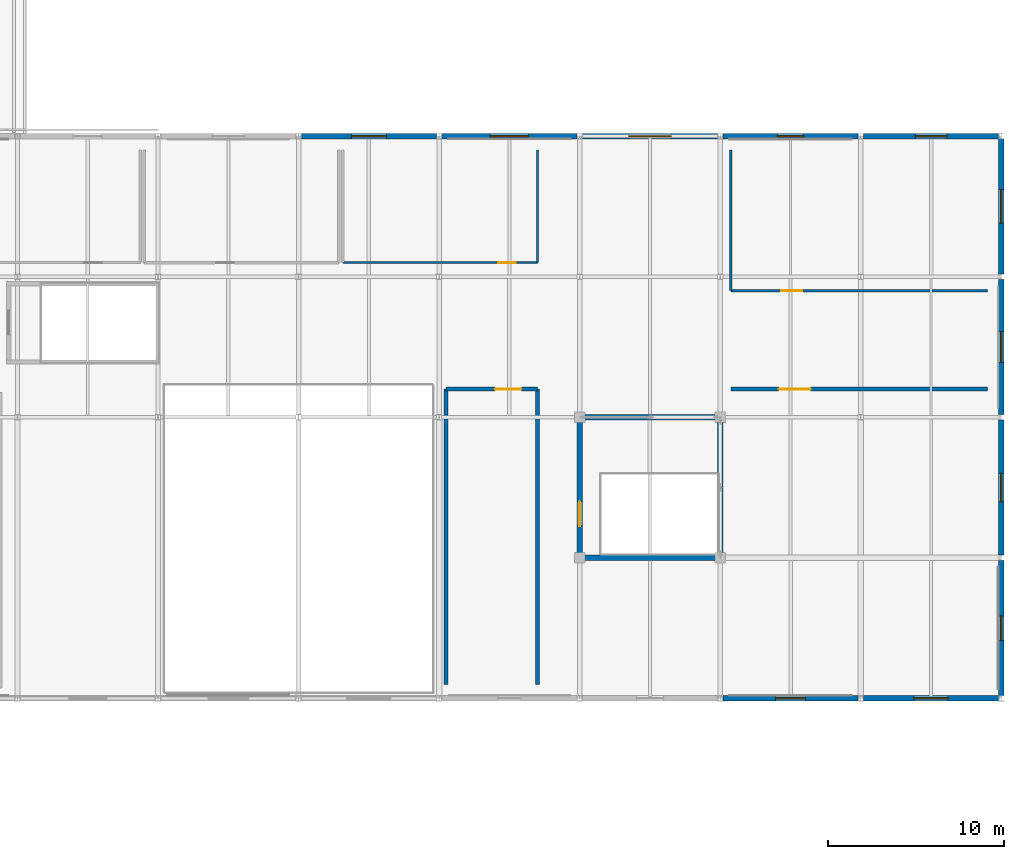
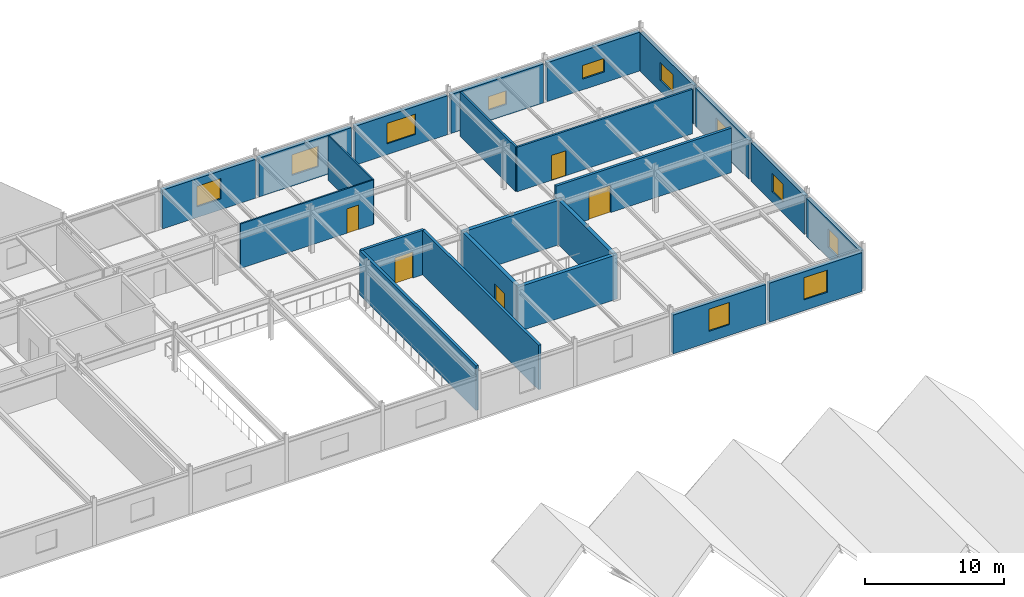
# One storey, part 82 of 88: 23 walls, 11 windows, 5 doors, 16 openings.
"""IFC4 building model written with IfcOpenShell, lengths in metres."""

from ifc_helpers import new_model, si_unit, direction, frame, frame_2d, origin, place, context, subcontext, project, spatial, rectangle, extrude, material, layer, layer_set, type_object, element, fill, save


model = new_model("IFC4")

# Units and contexts
model_context = context("Model", 3, precision=1e-05, world=origin(), true_north=direction((0.0, 1.0)))
body_context = subcontext(model_context, "Body", "Model", "MODEL_VIEW")
ifc_project = project(units=[si_unit("LENGTHUNIT", "METRE"), si_unit("AREAUNIT", "SQUARE_METRE"), si_unit("VOLUMEUNIT", "CUBIC_METRE"), si_unit("PLANEANGLEUNIT", "RADIAN"), si_unit("MASSUNIT", "GRAM", prefix="KILO")], contexts=[model_context])

# Site, building, storey
site_placement = place(None, origin())
site = spatial("IfcSite", under=ifc_project, at=site_placement, CompositionType="ELEMENT")
building_placement = place(site_placement, origin())
building = spatial("IfcBuilding", under=site, at=building_placement, Name="Zhaolan Boulevard Law Courts", CompositionType="ELEMENT")
storey_placement = place(building_placement, frame((0.0, 0.0, 16.199951171875)))
storey = spatial("IfcBuildingStorey", under=building, at=storey_placement, Name="L03", CompositionType="ELEMENT", Elevation=16.199951171875)

# Walls
ifc_material_1 = material(Name="Concrete C50", Category="concrete")
ifc_layer_1 = layer(ifc_material_1, 0.300048828125)
ifc_layer_set_1 = layer_set([ifc_layer_1])
wall_type_1 = type_object("IfcWallType", Name="CORE SHEAR WALL 300", PredefinedType="SHEAR", material=ifc_layer_set_1)
for number, where, z_axis, x_axis, name in (
    (1, (139.85009765625, 70.0, 0.0), (0.0, 0.0, 1.0), (1.0, 0.0, 0.0), "Core Shear Wall CW-T2-L03S"),
    (2, (148.14990234375, 78.0, 0.0), (0.0, 0.0, 1.0), (-1.0, 0.0, 0.0), "Core Shear Wall CW-T2-L03N"),
):
    element("IfcWall", number, at=place(storey_placement, frame(where, z_axis=z_axis, x_axis=x_axis)), inside=storey, type_object=wall_type_1, Name=name, PredefinedType="SHEAR", context=body_context, shape_type="SweptSolid", body=[
        extrude(rectangle(XDim=8.2998046875, YDim=0.300048828125, at=frame_2d((4.14990234375, 0.0))), origin(), (0.0, 0.0, 1.0), 3.920166015625),
    ])

# Wall, opening, door
wall_1_placement = place(storey_placement, frame((140.0, 70.14990234375, 0.0), z_axis=(0.0, 0.0, 1.0), x_axis=(0.0, 1.0, 0.0)))
wall_1 = element("IfcWall", 3, at=wall_1_placement, inside=storey, type_object=wall_type_1, Name="Core Shear Wall CW-T2-L03W", PredefinedType="SHEAR", context=body_context, shape_type="SweptSolid", body=[
    extrude(rectangle(XDim=7.7001953125, YDim=0.300048828125, at=frame_2d((3.85009765625, 0.0))), origin(), (0.0, 0.0, 1.0), 3.920166015625),
])
opening_1_placement = place(wall_1_placement, frame((1.64990234375, 0.0, 0.0)))
opening_1 = element("IfcOpeningElement", 4, at=opening_1_placement, cuts=wall_1, Name="Opening SD-L03-37", PredefinedType="OPENING", context=body_context, shape_type="SweptSolid", body=[
    extrude(rectangle(XDim=1.39990234375, YDim=2.199951171875, at=frame_2d((0.699951171875, 1.10009765625))), frame((0.0, 0.159912109375, 0.0), z_axis=(0.0, -1.0, 0.0), x_axis=(1.0, 0.0, 0.0)), (0.0, 0.0, 1.0), 0.320068359375),
])
ifc_material_2 = material(Name="Fire-rated steel acoustic door", Category="steel")
door_type_1 = type_object("IfcDoorType", Name="STAIR FIRE 1400X2200 L", OperationType="SINGLE_SWING_LEFT", PredefinedType="DOOR", material=ifc_material_2)
door_1_placement = place(opening_1_placement, origin())
door_1 = element("IfcDoor", 5, at=door_1_placement, inside=storey, type_object=door_type_1, Name="Smoke-Proof Stairwell Fire Door SD-L03-37", OperationType="SINGLE_SWING_LEFT", OverallHeight=2.199951171875, OverallWidth=1.39990234375, PredefinedType="DOOR", context=body_context, shape_type="SweptSolid", body=[
    extrude(rectangle(XDim=1.39990234375, YDim=2.199951171875, at=frame_2d((0.699951171875, 1.10009765625))), frame((0.0, 0.02490234375, 0.0), z_axis=(0.0, -1.0, 0.0), x_axis=(1.0, 0.0, 0.0)), (0.0, 0.0, 1.0), 0.050048828125),
])
fill(opening_1, door_1)

# Wall
wall_2_placement = place(storey_placement, frame((148.0, 70.14990234375, 0.0), z_axis=(0.0, 0.0, 1.0), x_axis=(0.0, 1.0, 0.0)))
element("IfcWall", 6, at=wall_2_placement, inside=storey, type_object=wall_type_1, Name="Core Shear Wall CW-T2-L03E", PredefinedType="SHEAR", context=body_context, shape_type="SweptSolid", body=[
    extrude(rectangle(XDim=7.7001953125, YDim=0.300048828125, at=frame_2d((3.85009765625, 0.0))), origin(), (0.0, 0.0, 1.0), 3.920166015625),
])

# Wall, opening, window
ifc_material_3 = material(Name="Concrete C40", Category="concrete")
ifc_layer_2 = layer(ifc_material_3, 0.300048828125)
ifc_layer_set_2 = layer_set([ifc_layer_2])
wall_type_2 = type_object("IfcWallType", Name="EXT WALL CONCRETE300", PredefinedType="SOLIDWALL", material=ifc_layer_set_2)
wall_3_placement = place(storey_placement, frame((148.14599609375, 62.0, 0.0), z_axis=(0.0, 0.0, 1.0), x_axis=(1.0, 0.0, 0.0)))
wall_3 = element("IfcWall", 7, at=wall_3_placement, inside=storey, type_object=wall_type_2, Name="Exterior Wall EW-L03-282", PredefinedType="SOLIDWALL", context=body_context, shape_type="SweptSolid", body=[
    extrude(rectangle(XDim=7.7080078125, YDim=0.300048828125, at=frame_2d((3.85400390625, 0.0))), origin(), (0.0, 0.0, 1.0), 3.423095703125),
])
opening_2_placement = place(wall_3_placement, frame((3.00390625, 0.0, 0.949951171875)))
opening_2 = element("IfcOpeningElement", 8, at=opening_2_placement, cuts=wall_3, Name="Opening WIN-L03-139", PredefinedType="OPENING", context=body_context, shape_type="SweptSolid", body=[
    extrude(rectangle(XDim=1.699951171875, YDim=1.949951171875, at=frame_2d((0.85009765625, 0.97509765625))), frame((0.0, 0.159912109375, 0.0), z_axis=(0.0, -1.0, 0.0), x_axis=(1.0, 0.0, 0.0)), (0.0, 0.0, 1.0), 0.320068359375),
])
ifc_material_4 = material(Name="Thermally broken aluminium and low-E glazing", Category="aluminium")
window_type_1 = type_object("IfcWindowType", Name="WINDOW 1700X1950", PartitioningType="SINGLE_PANEL", PredefinedType="WINDOW", material=ifc_material_4)
window_1_placement = place(opening_2_placement, origin())
window_1 = element("IfcWindow", 9, at=window_1_placement, inside=storey, type_object=window_type_1, Name="Exterior Window WIN-L03-139", OverallHeight=1.949951171875, OverallWidth=1.699951171875, PartitioningType="SINGLE_PANEL", PredefinedType="WINDOW", context=body_context, shape_type="SweptSolid", body=[
    extrude(rectangle(XDim=1.699951171875, YDim=1.949951171875, at=frame_2d((0.85009765625, 0.97509765625))), frame((0.0, 0.030029296875, 0.0), z_axis=(0.0, -1.0, 0.0), x_axis=(1.0, 0.0, 0.0)), (0.0, 0.0, 1.0), 0.06005859375),
])
fill(opening_2, window_1)

wall_4_placement = place(storey_placement, frame((156.14599609375, 62.0, 0.0), z_axis=(0.0, 0.0, 1.0), x_axis=(1.0, 0.0, 0.0)))
wall_4 = element("IfcWall", 10, at=wall_4_placement, inside=storey, type_object=wall_type_2, Name="Exterior Wall EW-L03-283", PredefinedType="SOLIDWALL", context=body_context, shape_type="SweptSolid", body=[
    extrude(rectangle(XDim=7.7080078125, YDim=0.300048828125, at=frame_2d((3.85400390625, 0.0))), origin(), (0.0, 0.0, 1.0), 3.423095703125),
])
opening_3_placement = place(wall_4_placement, frame((2.87890625, 0.0, 0.949951171875)))
opening_3 = element("IfcOpeningElement", 11, at=opening_3_placement, cuts=wall_4, Name="Opening WIN-L03-140", PredefinedType="OPENING", context=body_context, shape_type="SweptSolid", body=[
    extrude(rectangle(XDim=1.949951171875, YDim=1.949951171875, at=frame_2d((0.97509765625, 0.97509765625))), frame((0.0, 0.159912109375, 0.0), z_axis=(0.0, -1.0, 0.0), x_axis=(1.0, 0.0, 0.0)), (0.0, 0.0, 1.0), 0.320068359375),
])
ifc_material_5 = material(Name="Thermally broken aluminium and low-E glazing", Category="aluminium")
window_type_2 = type_object("IfcWindowType", Name="WINDOW 1950X1950", PartitioningType="DOUBLE_PANEL_VERTICAL", PredefinedType="WINDOW", material=ifc_material_5)
window_2_placement = place(opening_3_placement, origin())
window_2 = element("IfcWindow", 12, at=window_2_placement, inside=storey, type_object=window_type_2, Name="Exterior Window WIN-L03-140", OverallHeight=1.949951171875, OverallWidth=1.949951171875, PartitioningType="SINGLE_PANEL", PredefinedType="WINDOW", context=body_context, shape_type="SweptSolid", body=[
    extrude(rectangle(XDim=1.949951171875, YDim=1.949951171875, at=frame_2d((0.97509765625, 0.97509765625))), frame((0.0, 0.030029296875, 0.0), z_axis=(0.0, -1.0, 0.0), x_axis=(1.0, 0.0, 0.0)), (0.0, 0.0, 1.0), 0.06005859375),
])
fill(opening_3, window_2)

wall_5_placement = place(storey_placement, frame((131.85400390625, 94.0, 0.0), z_axis=(0.0, 0.0, 1.0), x_axis=(-1.0, 0.0, 0.0)))
wall_5 = element("IfcWall", 13, at=wall_5_placement, inside=storey, type_object=wall_type_2, Name="Exterior Wall EW-L03-293", PredefinedType="SOLIDWALL", context=body_context, shape_type="SweptSolid", body=[
    extrude(rectangle(XDim=7.7080078125, YDim=0.300048828125, at=frame_2d((3.85400390625, 0.0))), origin(), (0.0, 0.0, 1.0), 3.423095703125),
])
opening_4_placement = place(wall_5_placement, frame((2.85400390625, 0.0, 0.949951171875)))
opening_4 = element("IfcOpeningElement", 14, at=opening_4_placement, cuts=wall_5, Name="Opening WIN-L03-150", PredefinedType="OPENING", context=body_context, shape_type="SweptSolid", body=[
    extrude(rectangle(XDim=2.0, YDim=1.800048828125, at=frame_2d((1.0, 0.89990234375))), frame((0.0, 0.159912109375, 0.0), z_axis=(0.0, -1.0, 0.0), x_axis=(1.0, 0.0, 0.0)), (0.0, 0.0, 1.0), 0.320068359375),
])
ifc_material_6 = material(Name="Thermally broken aluminium and low-E glazing", Category="aluminium")
window_type_3 = type_object("IfcWindowType", Name="WINDOW 2000X1800", PartitioningType="DOUBLE_PANEL_VERTICAL", PredefinedType="WINDOW", material=ifc_material_6)
window_3_placement = place(opening_4_placement, origin())
window_3 = element("IfcWindow", 15, at=window_3_placement, inside=storey, type_object=window_type_3, Name="Exterior Window WIN-L03-150", OverallHeight=1.800048828125, OverallWidth=2.0, PartitioningType="SINGLE_PANEL", PredefinedType="WINDOW", context=body_context, shape_type="SweptSolid", body=[
    extrude(rectangle(XDim=2.0, YDim=1.800048828125, at=frame_2d((1.0, 0.89990234375))), frame((0.0, 0.030029296875, 0.0), z_axis=(0.0, -1.0, 0.0), x_axis=(1.0, 0.0, 0.0)), (0.0, 0.0, 1.0), 0.06005859375),
])
fill(opening_4, window_3)

wall_6_placement = place(storey_placement, frame((139.85400390625, 94.0, 0.0), z_axis=(0.0, 0.0, 1.0), x_axis=(-1.0, 0.0, 0.0)))
wall_6 = element("IfcWall", 16, at=wall_6_placement, inside=storey, type_object=wall_type_2, Name="Exterior Wall EW-L03-294", PredefinedType="SOLIDWALL", context=body_context, shape_type="SweptSolid", body=[
    extrude(rectangle(XDim=7.7080078125, YDim=0.300048828125, at=frame_2d((3.85400390625, 0.0))), origin(), (0.0, 0.0, 1.0), 3.423095703125),
])
opening_5_placement = place(wall_6_placement, frame((2.75390625, 0.0, 0.949951171875)))
opening_5 = element("IfcOpeningElement", 17, at=opening_5_placement, cuts=wall_6, Name="Opening WIN-L03-151", PredefinedType="OPENING", context=body_context, shape_type="SweptSolid", body=[
    extrude(rectangle(XDim=2.199951171875, YDim=1.800048828125, at=frame_2d((1.10009765625, 0.89990234375))), frame((0.0, 0.159912109375, 0.0), z_axis=(0.0, -1.0, 0.0), x_axis=(1.0, 0.0, 0.0)), (0.0, 0.0, 1.0), 0.320068359375),
])
ifc_material_7 = material(Name="Thermally broken aluminium and low-E glazing", Category="aluminium")
window_type_4 = type_object("IfcWindowType", Name="WINDOW 2200X1800", PartitioningType="DOUBLE_PANEL_VERTICAL", PredefinedType="WINDOW", material=ifc_material_7)
window_4_placement = place(opening_5_placement, origin())
window_4 = element("IfcWindow", 18, at=window_4_placement, inside=storey, type_object=window_type_4, Name="Exterior Window WIN-L03-151", OverallHeight=1.800048828125, OverallWidth=2.199951171875, PartitioningType="SINGLE_PANEL", PredefinedType="WINDOW", context=body_context, shape_type="SweptSolid", body=[
    extrude(rectangle(XDim=2.199951171875, YDim=1.800048828125, at=frame_2d((1.10009765625, 0.89990234375))), frame((0.0, 0.030029296875, 0.0), z_axis=(0.0, -1.0, 0.0), x_axis=(1.0, 0.0, 0.0)), (0.0, 0.0, 1.0), 0.06005859375),
])
fill(opening_5, window_4)

wall_7_placement = place(storey_placement, frame((147.85400390625, 94.0, 0.0), z_axis=(0.0, 0.0, 1.0), x_axis=(-1.0, 0.0, 0.0)))
wall_7 = element("IfcWall", 19, at=wall_7_placement, inside=storey, type_object=wall_type_2, Name="Exterior Wall EW-L03-295", PredefinedType="SOLIDWALL", context=body_context, shape_type="SweptSolid", body=[
    extrude(rectangle(XDim=7.7080078125, YDim=0.300048828125, at=frame_2d((3.85400390625, 0.0))), origin(), (0.0, 0.0, 1.0), 3.423095703125),
])
opening_6_placement = place(wall_7_placement, frame((2.654052734375, 0.0, 0.949951171875)))
opening_6 = element("IfcOpeningElement", 20, at=opening_6_placement, cuts=wall_7, Name="Opening WIN-L03-152", PredefinedType="OPENING", context=body_context, shape_type="SweptSolid", body=[
    extrude(rectangle(XDim=2.39990234375, YDim=1.800048828125, at=frame_2d((1.199951171875, 0.89990234375))), frame((0.0, 0.159912109375, 0.0), z_axis=(0.0, -1.0, 0.0), x_axis=(1.0, 0.0, 0.0)), (0.0, 0.0, 1.0), 0.320068359375),
])
ifc_material_8 = material(Name="Thermally broken aluminium and low-E glazing", Category="aluminium")
window_type_5 = type_object("IfcWindowType", Name="WINDOW 2400X1800", PartitioningType="DOUBLE_PANEL_VERTICAL", PredefinedType="WINDOW", material=ifc_material_8)
window_5_placement = place(opening_6_placement, origin())
window_5 = element("IfcWindow", 21, at=window_5_placement, inside=storey, type_object=window_type_5, Name="Exterior Window WIN-L03-152", OverallHeight=1.800048828125, OverallWidth=2.39990234375, PartitioningType="SINGLE_PANEL", PredefinedType="WINDOW", context=body_context, shape_type="SweptSolid", body=[
    extrude(rectangle(XDim=2.39990234375, YDim=1.800048828125, at=frame_2d((1.199951171875, 0.89990234375))), frame((0.0, 0.030029296875, 0.0), z_axis=(0.0, -1.0, 0.0), x_axis=(1.0, 0.0, 0.0)), (0.0, 0.0, 1.0), 0.06005859375),
])
fill(opening_6, window_5)

wall_8_placement = place(storey_placement, frame((155.85400390625, 94.0, 0.0), z_axis=(0.0, 0.0, 1.0), x_axis=(-1.0, 0.0, 0.0)))
wall_8 = element("IfcWall", 22, at=wall_8_placement, inside=storey, type_object=wall_type_2, Name="Exterior Wall EW-L03-296", PredefinedType="SOLIDWALL", context=body_context, shape_type="SweptSolid", body=[
    extrude(rectangle(XDim=7.7080078125, YDim=0.300048828125, at=frame_2d((3.85400390625, 0.0))), origin(), (0.0, 0.0, 1.0), 3.423095703125),
])
opening_7_placement = place(wall_8_placement, frame((3.10400390625, 0.0, 0.949951171875)))
opening_7 = element("IfcOpeningElement", 23, at=opening_7_placement, cuts=wall_8, Name="Opening WIN-L03-153", PredefinedType="OPENING", context=body_context, shape_type="SweptSolid", body=[
    extrude(rectangle(XDim=1.5, YDim=1.199951171875, at=frame_2d((0.75, 0.60009765625))), frame((0.0, 0.159912109375, 0.0), z_axis=(0.0, -1.0, 0.0), x_axis=(1.0, 0.0, 0.0)), (0.0, 0.0, 1.0), 0.320068359375),
])
ifc_material_9 = material(Name="Thermally broken aluminium and low-E glazing", Category="aluminium")
window_type_6 = type_object("IfcWindowType", Name="WINDOW 1500X1200", PartitioningType="SINGLE_PANEL", PredefinedType="WINDOW", material=ifc_material_9)
window_6_placement = place(opening_7_placement, origin())
window_6 = element("IfcWindow", 24, at=window_6_placement, inside=storey, type_object=window_type_6, Name="Exterior Window WIN-L03-153", OverallHeight=1.199951171875, OverallWidth=1.5, PartitioningType="SINGLE_PANEL", PredefinedType="WINDOW", context=body_context, shape_type="SweptSolid", body=[
    extrude(rectangle(XDim=1.5, YDim=1.199951171875, at=frame_2d((0.75, 0.60009765625))), frame((0.0, 0.030029296875, 0.0), z_axis=(0.0, -1.0, 0.0), x_axis=(1.0, 0.0, 0.0)), (0.0, 0.0, 1.0), 0.06005859375),
])
fill(opening_7, window_6)

wall_9_placement = place(storey_placement, frame((163.85400390625, 94.0, 0.0), z_axis=(0.0, 0.0, 1.0), x_axis=(-1.0, 0.0, 0.0)))
wall_9 = element("IfcWall", 25, at=wall_9_placement, inside=storey, type_object=wall_type_2, Name="Exterior Wall EW-L03-297", PredefinedType="SOLIDWALL", context=body_context, shape_type="SweptSolid", body=[
    extrude(rectangle(XDim=7.7080078125, YDim=0.300048828125, at=frame_2d((3.85400390625, 0.0))), origin(), (0.0, 0.0, 1.0), 3.423095703125),
])
opening_8_placement = place(wall_9_placement, frame((2.9541015625, 0.0, 0.949951171875)))
opening_8 = element("IfcOpeningElement", 26, at=opening_8_placement, cuts=wall_9, Name="Opening WIN-L03-154", PredefinedType="OPENING", context=body_context, shape_type="SweptSolid", body=[
    extrude(rectangle(XDim=1.800048828125, YDim=1.199951171875, at=frame_2d((0.89990234375, 0.60009765625))), frame((0.0, 0.159912109375, 0.0), z_axis=(0.0, -1.0, 0.0), x_axis=(1.0, 0.0, 0.0)), (0.0, 0.0, 1.0), 0.320068359375),
])
ifc_material_10 = material(Name="Thermally broken aluminium and low-E glazing", Category="aluminium")
window_type_7 = type_object("IfcWindowType", Name="WINDOW 1800X1200", PartitioningType="DOUBLE_PANEL_VERTICAL", PredefinedType="WINDOW", material=ifc_material_10)
window_7_placement = place(opening_8_placement, origin())
window_7 = element("IfcWindow", 27, at=window_7_placement, inside=storey, type_object=window_type_7, Name="Exterior Window WIN-L03-154", OverallHeight=1.199951171875, OverallWidth=1.800048828125, PartitioningType="SINGLE_PANEL", PredefinedType="WINDOW", context=body_context, shape_type="SweptSolid", body=[
    extrude(rectangle(XDim=1.800048828125, YDim=1.199951171875, at=frame_2d((0.89990234375, 0.60009765625))), frame((0.0, 0.030029296875, 0.0), z_axis=(0.0, -1.0, 0.0), x_axis=(1.0, 0.0, 0.0)), (0.0, 0.0, 1.0), 0.06005859375),
])
fill(opening_8, window_7)

wall_10_placement = place(storey_placement, frame((164.0, 62.14599609375, 0.0), z_axis=(0.0, 0.0, 1.0), x_axis=(0.0, 1.0, 0.0)))
wall_10 = element("IfcWall", 28, at=wall_10_placement, inside=storey, type_object=wall_type_2, Name="Exterior Wall EW-L03-302", PredefinedType="SOLIDWALL", context=body_context, shape_type="SweptSolid", body=[
    extrude(rectangle(XDim=7.7080078125, YDim=0.300048828125, at=frame_2d((3.85400390625, 0.0))), origin(), (0.0, 0.0, 1.0), 3.383056640625),
])
opening_9_placement = place(wall_10_placement, frame((3.154052734375, 0.0, 0.949951171875)))
opening_9 = element("IfcOpeningElement", 29, at=opening_9_placement, cuts=wall_10, Name="Opening WIN-L03-159", PredefinedType="OPENING", context=body_context, shape_type="SweptSolid", body=[
    extrude(rectangle(XDim=1.39990234375, YDim=1.60009765625, at=frame_2d((0.699951171875, 0.800048828125))), frame((0.0, 0.159912109375, 0.0), z_axis=(0.0, -1.0, 0.0), x_axis=(1.0, 0.0, 0.0)), (0.0, 0.0, 1.0), 0.320068359375),
])
ifc_material_11 = material(Name="Thermally broken aluminium and low-E glazing", Category="aluminium")
window_type_8 = type_object("IfcWindowType", Name="WINDOW 1400X1600", PartitioningType="SINGLE_PANEL", PredefinedType="WINDOW", material=ifc_material_11)
window_8_placement = place(opening_9_placement, origin())
window_8 = element("IfcWindow", 30, at=window_8_placement, inside=storey, type_object=window_type_8, Name="Exterior Window WIN-L03-159", OverallHeight=1.60009765625, OverallWidth=1.39990234375, PartitioningType="SINGLE_PANEL", PredefinedType="WINDOW", context=body_context, shape_type="SweptSolid", body=[
    extrude(rectangle(XDim=1.39990234375, YDim=1.60009765625, at=frame_2d((0.699951171875, 0.800048828125))), frame((0.0, 0.030029296875, 0.0), z_axis=(0.0, -1.0, 0.0), x_axis=(1.0, 0.0, 0.0)), (0.0, 0.0, 1.0), 0.06005859375),
])
fill(opening_9, window_8)

wall_11_placement = place(storey_placement, frame((164.0, 70.14599609375, 0.0), z_axis=(0.0, 0.0, 1.0), x_axis=(0.0, 1.0, 0.0)))
wall_11 = element("IfcWall", 31, at=wall_11_placement, inside=storey, type_object=wall_type_2, Name="Exterior Wall EW-L03-303", PredefinedType="SOLIDWALL", context=body_context, shape_type="SweptSolid", body=[
    extrude(rectangle(XDim=7.7080078125, YDim=0.300048828125, at=frame_2d((3.85400390625, 0.0))), origin(), (0.0, 0.0, 1.0), 3.383056640625),
])
opening_10_placement = place(wall_11_placement, frame((3.053955078125, 0.0, 0.949951171875)))
opening_10 = element("IfcOpeningElement", 32, at=opening_10_placement, cuts=wall_11, Name="Opening WIN-L03-160", PredefinedType="OPENING", context=body_context, shape_type="SweptSolid", body=[
    extrude(rectangle(XDim=1.60009765625, YDim=1.60009765625, at=frame_2d((0.800048828125, 0.800048828125))), frame((0.0, 0.159912109375, 0.0), z_axis=(0.0, -1.0, 0.0), x_axis=(1.0, 0.0, 0.0)), (0.0, 0.0, 1.0), 0.320068359375),
])
ifc_material_12 = material(Name="Thermally broken aluminium and low-E glazing", Category="aluminium")
window_type_9 = type_object("IfcWindowType", Name="WINDOW 1600X1600", PartitioningType="SINGLE_PANEL", PredefinedType="WINDOW", material=ifc_material_12)
window_9_placement = place(opening_10_placement, origin())
window_9 = element("IfcWindow", 33, at=window_9_placement, inside=storey, type_object=window_type_9, Name="Exterior Window WIN-L03-160", OverallHeight=1.60009765625, OverallWidth=1.60009765625, PartitioningType="SINGLE_PANEL", PredefinedType="WINDOW", context=body_context, shape_type="SweptSolid", body=[
    extrude(rectangle(XDim=1.60009765625, YDim=1.60009765625, at=frame_2d((0.800048828125, 0.800048828125))), frame((0.0, 0.030029296875, 0.0), z_axis=(0.0, -1.0, 0.0), x_axis=(1.0, 0.0, 0.0)), (0.0, 0.0, 1.0), 0.06005859375),
])
fill(opening_10, window_9)

wall_12_placement = place(storey_placement, frame((164.0, 78.14599609375, 0.0), z_axis=(0.0, 0.0, 1.0), x_axis=(0.0, 1.0, 0.0)))
wall_12 = element("IfcWall", 34, at=wall_12_placement, inside=storey, type_object=wall_type_2, Name="Exterior Wall EW-L03-304", PredefinedType="SOLIDWALL", context=body_context, shape_type="SweptSolid", body=[
    extrude(rectangle(XDim=7.7080078125, YDim=0.300048828125, at=frame_2d((3.85400390625, 0.0))), origin(), (0.0, 0.0, 1.0), 3.383056640625),
])
opening_11_placement = place(wall_12_placement, frame((2.97900390625, 0.0, 0.949951171875)))
opening_11 = element("IfcOpeningElement", 35, at=opening_11_placement, cuts=wall_12, Name="Opening WIN-L03-161", PredefinedType="OPENING", context=body_context, shape_type="SweptSolid", body=[
    extrude(rectangle(XDim=1.75, YDim=1.60009765625, at=frame_2d((0.875, 0.800048828125))), frame((0.0, 0.159912109375, 0.0), z_axis=(0.0, -1.0, 0.0), x_axis=(1.0, 0.0, 0.0)), (0.0, 0.0, 1.0), 0.320068359375),
])
ifc_material_13 = material(Name="Thermally broken aluminium and low-E glazing", Category="aluminium")
window_type_10 = type_object("IfcWindowType", Name="WINDOW 1750X1600", PartitioningType="SINGLE_PANEL", PredefinedType="WINDOW", material=ifc_material_13)
window_10_placement = place(opening_11_placement, origin())
window_10 = element("IfcWindow", 36, at=window_10_placement, inside=storey, type_object=window_type_10, Name="Exterior Window WIN-L03-161", OverallHeight=1.60009765625, OverallWidth=1.75, PartitioningType="SINGLE_PANEL", PredefinedType="WINDOW", context=body_context, shape_type="SweptSolid", body=[
    extrude(rectangle(XDim=1.75, YDim=1.60009765625, at=frame_2d((0.875, 0.800048828125))), frame((0.0, 0.030029296875, 0.0), z_axis=(0.0, -1.0, 0.0), x_axis=(1.0, 0.0, 0.0)), (0.0, 0.0, 1.0), 0.06005859375),
])
fill(opening_11, window_10)

wall_13_placement = place(storey_placement, frame((164.0, 86.14599609375, 0.0), z_axis=(0.0, 0.0, 1.0), x_axis=(0.0, 1.0, 0.0)))
wall_13 = element("IfcWall", 37, at=wall_13_placement, inside=storey, type_object=wall_type_2, Name="Exterior Wall EW-L03-305", PredefinedType="SOLIDWALL", context=body_context, shape_type="SweptSolid", body=[
    extrude(rectangle(XDim=7.7080078125, YDim=0.300048828125, at=frame_2d((3.85400390625, 0.0))), origin(), (0.0, 0.0, 1.0), 3.383056640625),
])
opening_12_placement = place(wall_13_placement, frame((2.904052734375, 0.0, 0.949951171875)))
opening_12 = element("IfcOpeningElement", 38, at=opening_12_placement, cuts=wall_13, Name="Opening WIN-L03-162", PredefinedType="OPENING", context=body_context, shape_type="SweptSolid", body=[
    extrude(rectangle(XDim=1.89990234375, YDim=1.60009765625, at=frame_2d((0.949951171875, 0.800048828125))), frame((0.0, 0.159912109375, 0.0), z_axis=(0.0, -1.0, 0.0), x_axis=(1.0, 0.0, 0.0)), (0.0, 0.0, 1.0), 0.320068359375),
])
ifc_material_14 = material(Name="Thermally broken aluminium and low-E glazing", Category="aluminium")
window_type_11 = type_object("IfcWindowType", Name="WINDOW 1900X1600", PartitioningType="DOUBLE_PANEL_VERTICAL", PredefinedType="WINDOW", material=ifc_material_14)
window_11_placement = place(opening_12_placement, origin())
window_11 = element("IfcWindow", 39, at=window_11_placement, inside=storey, type_object=window_type_11, Name="Exterior Window WIN-L03-162", OverallHeight=1.60009765625, OverallWidth=1.89990234375, PartitioningType="SINGLE_PANEL", PredefinedType="WINDOW", context=body_context, shape_type="SweptSolid", body=[
    extrude(rectangle(XDim=1.89990234375, YDim=1.60009765625, at=frame_2d((0.949951171875, 0.800048828125))), frame((0.0, 0.030029296875, 0.0), z_axis=(0.0, -1.0, 0.0), x_axis=(1.0, 0.0, 0.0)), (0.0, 0.0, 1.0), 0.06005859375),
])
fill(opening_12, window_11)

# Wall, opening, door
ifc_material_15 = material(Name="Fire-rated gypsum stud partition")
ifc_layer_3 = layer(ifc_material_15, 0.159912109375)
ifc_layer_set_3 = layer_set([ifc_layer_3])
wall_type_3 = type_object("IfcWallType", Name="PART WALL CHAMB160", PredefinedType="PARTITIONING", material=ifc_layer_set_3)
wall_14_placement = place(storey_placement, frame((148.60009765625, 85.199951171875, 0.0), z_axis=(0.0, 0.0, 1.0), x_axis=(1.0, 0.0, 0.0)))
wall_14 = element("IfcWall", 40, at=wall_14_placement, inside=storey, type_object=wall_type_3, Name="Interior Partition PW-L03-784", PredefinedType="PARTITIONING", context=body_context, shape_type="SweptSolid", body=[
    extrude(rectangle(XDim=14.599853515625, YDim=0.159912109375, at=frame_2d((7.2998046875, 0.0))), origin(), (0.0, 0.0, 1.0), 3.920166015625),
])
opening_13_placement = place(wall_14_placement, frame((2.860107421875, 0.0, 0.0)))
opening_13 = element("IfcOpeningElement", 41, at=opening_13_placement, cuts=wall_14, Name="Opening MD-L03-247", PredefinedType="OPENING", context=body_context, shape_type="SweptSolid", body=[
    extrude(rectangle(XDim=1.199951171875, YDim=2.199951171875, at=frame_2d((0.60009765625, 1.10009765625))), frame((0.0, 0.08984375, 0.0), z_axis=(0.0, -1.0, 0.0), x_axis=(1.0, 0.0, 0.0)), (0.0, 0.0, 1.0), 0.179931640625),
])
ifc_material_16 = material(Name="Solid-core acoustic oak veneer door")
door_type_2 = type_object("IfcDoorType", Name="MED DOOR 1200X2200 L", OperationType="SINGLE_SWING_LEFT", PredefinedType="DOOR", material=ifc_material_16)
door_2_placement = place(opening_13_placement, origin())
door_2 = element("IfcDoor", 42, at=door_2_placement, inside=storey, type_object=door_type_2, Name="Door MD-L03-247 (Witness Waiting Suite L03)", OperationType="SINGLE_SWING_LEFT", OverallHeight=2.199951171875, OverallWidth=1.199951171875, PredefinedType="DOOR", context=body_context, shape_type="SweptSolid", body=[
    extrude(rectangle(XDim=1.199951171875, YDim=2.199951171875, at=frame_2d((0.60009765625, 1.10009765625))), frame((0.0, 0.02490234375, 0.0), z_axis=(0.0, -1.0, 0.0), x_axis=(1.0, 0.0, 0.0)), (0.0, 0.0, 1.0), 0.050048828125),
])
fill(opening_13, door_2)

# Wall
wall_15_placement = place(storey_placement, frame((148.60009765625, 93.199951171875, 0.0), z_axis=(0.0, 0.0, 1.0), x_axis=(0.0, -1.0, 0.0)))
element("IfcWall", 43, at=wall_15_placement, inside=storey, type_object=wall_type_3, Name="Interior Partition PW-L03-785", PredefinedType="PARTITIONING", context=body_context, shape_type="SweptSolid", body=[
    extrude(rectangle(XDim=8.0, YDim=0.159912109375, at=frame_2d((4.0, 0.0))), origin(), (0.0, 0.0, 1.0), 3.920166015625),
])

# Wall, opening, door
ifc_material_17 = material(Name="Concrete C40", Category="concrete")
ifc_layer_4 = layer(ifc_material_17, 0.219970703125)
ifc_layer_set_4 = layer_set([ifc_layer_4])
wall_type_4 = type_object("IfcWallType", Name="PART WALL COURT220", PredefinedType="PARTITIONING", material=ifc_layer_set_4)
wall_16_placement = place(storey_placement, frame((137.60009765625, 79.60009765625, 0.0), z_axis=(0.0, 0.0, 1.0), x_axis=(-1.0, 0.0, 0.0)))
wall_16 = element("IfcWall", 44, at=wall_16_placement, inside=storey, type_object=wall_type_4, Name="Interior Partition PW-L03-780", PredefinedType="PARTITIONING", context=body_context, shape_type="SweptSolid", body=[
    extrude(rectangle(XDim=5.2001953125, YDim=0.219970703125, at=frame_2d((2.60009765625, 0.0))), origin(), (0.0, 0.0, 1.0), 3.920166015625),
])
opening_14_placement = place(wall_16_placement, frame((0.919921875, 0.0, 0.0)))
opening_14 = element("IfcOpeningElement", 45, at=opening_14_placement, cuts=wall_16, Name="Opening ID-L03-245", PredefinedType="OPENING", context=body_context, shape_type="SweptSolid", body=[
    extrude(rectangle(XDim=1.5, YDim=2.300048828125, at=frame_2d((0.75, 1.14990234375))), frame((0.0, 0.119873046875, 0.0), z_axis=(0.0, -1.0, 0.0), x_axis=(1.0, 0.0, 0.0)), (0.0, 0.0, 1.0), 0.239990234375),
])
ifc_material_18 = material(Name="Solid-core acoustic oak veneer door")
door_type_3 = type_object("IfcDoorType", Name="COURT DOUBLE 1500X2300", OperationType="DOUBLE_DOOR_SINGLE_SWING", PredefinedType="DOOR", material=ifc_material_18)
door_3_placement = place(opening_14_placement, origin())
door_3 = element("IfcDoor", 46, at=door_3_placement, inside=storey, type_object=door_type_3, Name="Door ID-L03-245 (Commercial Appellate Courtroom L03)", OperationType="DOUBLE_DOOR_SINGLE_SWING", OverallHeight=2.300048828125, OverallWidth=1.5, PredefinedType="DOOR", context=body_context, shape_type="SweptSolid", body=[
    extrude(rectangle(XDim=1.5, YDim=2.300048828125, at=frame_2d((0.75, 1.14990234375))), frame((0.0, 0.02490234375, 0.0), z_axis=(0.0, -1.0, 0.0), x_axis=(1.0, 0.0, 0.0)), (0.0, 0.0, 1.0), 0.050048828125),
])
fill(opening_14, door_3)

# Walls
for number, where, z_axis, x_axis, name in (
    (47, (132.39990234375, 79.60009765625, 0.0), (0.0, 0.0, 1.0), (0.0, -1.0, 0.0), "Interior Partition PW-L03-781"),
    (48, (137.60009765625, 62.800048828125, 0.0), (0.0, 0.0, 1.0), (0.0, 1.0, 0.0), "Interior Partition PW-L03-782"),
):
    element("IfcWall", number, at=place(storey_placement, frame(where, z_axis=z_axis, x_axis=x_axis)), inside=storey, type_object=wall_type_4, Name=name, PredefinedType="PARTITIONING", context=body_context, shape_type="SweptSolid", body=[
        extrude(rectangle(XDim=16.800048828125, YDim=0.219970703125, at=frame_2d((8.39990234375, 0.0))), origin(), (0.0, 0.0, 1.0), 3.920166015625),
    ])

# Wall, opening, door
wall_17_placement = place(storey_placement, frame((163.199951171875, 79.60009765625, 0.0), z_axis=(0.0, 0.0, 1.0), x_axis=(-1.0, 0.0, 0.0)))
wall_17 = element("IfcWall", 49, at=wall_17_placement, inside=storey, type_object=wall_type_4, Name="Interior Partition PW-L03-783", PredefinedType="PARTITIONING", context=body_context, shape_type="SweptSolid", body=[
    extrude(rectangle(XDim=14.599853515625, YDim=0.219970703125, at=frame_2d((7.2998046875, 0.0))), origin(), (0.0, 0.0, 1.0), 3.920166015625),
])
opening_15_placement = place(wall_17_placement, frame((10.06005859375, 0.0, 0.0)))
opening_15 = element("IfcOpeningElement", 50, at=opening_15_placement, cuts=wall_17, Name="Opening ID-L03-246", PredefinedType="OPENING", context=body_context, shape_type="SweptSolid", body=[
    extrude(rectangle(XDim=1.800048828125, YDim=2.39990234375, at=frame_2d((0.89990234375, 1.199951171875))), frame((0.0, 0.119873046875, 0.0), z_axis=(0.0, -1.0, 0.0), x_axis=(1.0, 0.0, 0.0)), (0.0, 0.0, 1.0), 0.239990234375),
])
ifc_material_19 = material(Name="Solid-core acoustic oak veneer door")
door_type_4 = type_object("IfcDoorType", Name="COURT DOUBLE 1800X2400", OperationType="DOUBLE_DOOR_SINGLE_SWING", PredefinedType="DOOR", material=ifc_material_19)
door_4_placement = place(opening_15_placement, origin())
door_4 = element("IfcDoor", 51, at=door_4_placement, inside=storey, type_object=door_type_4, Name="Door ID-L03-246 (Maritime Hearing Courtroom L03)", OperationType="DOUBLE_DOOR_SINGLE_SWING", OverallHeight=2.39990234375, OverallWidth=1.800048828125, PredefinedType="DOOR", context=body_context, shape_type="SweptSolid", body=[
    extrude(rectangle(XDim=1.800048828125, YDim=2.39990234375, at=frame_2d((0.89990234375, 1.199951171875))), frame((0.0, 0.02490234375, 0.0), z_axis=(0.0, -1.0, 0.0), x_axis=(1.0, 0.0, 0.0)), (0.0, 0.0, 1.0), 0.050048828125),
])
fill(opening_15, door_4)

ifc_material_20 = material(Name="Gypsum board stud partition")
ifc_layer_5 = layer(ifc_material_20, 0.1201171875)
ifc_layer_set_5 = layer_set([ifc_layer_5])
wall_type_5 = type_object("IfcWallType", Name="PART WALL LIGHT120", PredefinedType="PARTITIONING", material=ifc_layer_set_5)
wall_18_placement = place(storey_placement, frame((126.514892578125, 86.800048828125, 0.0), z_axis=(0.0, 0.0, 1.0), x_axis=(1.0, 0.0, 0.0)))
wall_18 = element("IfcWall", 52, at=wall_18_placement, inside=storey, type_object=wall_type_5, Name="Interior Partition PW-L03-542", PredefinedType="PARTITIONING", context=body_context, shape_type="SweptSolid", body=[
    extrude(rectangle(XDim=11.085205078125, YDim=0.1201171875, at=frame_2d((5.54248046875, 0.0))), origin(), (0.0, 0.0, 1.0), 3.920166015625),
])
opening_16_placement = place(wall_18_placement, frame((8.85400390625, 0.0, 0.0)))
opening_16 = element("IfcOpeningElement", 53, at=opening_16_placement, cuts=wall_18, Name="Opening JD-L03-171", PredefinedType="OPENING", context=body_context, shape_type="SweptSolid", body=[
    extrude(rectangle(XDim=0.97998046875, YDim=2.14990234375, at=frame_2d((0.489990234375, 1.074951171875))), frame((0.0, 0.070068359375, 0.0), z_axis=(0.0, -1.0, 0.0), x_axis=(1.0, 0.0, 0.0)), (0.0, 0.0, 1.0), 0.14013671875),
])
ifc_material_21 = material(Name="Solid-core acoustic oak veneer door")
door_type_5 = type_object("IfcDoorType", Name="CHAMBER DOOR 980X2150 R", OperationType="SINGLE_SWING_RIGHT", PredefinedType="DOOR", material=ifc_material_21)
door_5_placement = place(opening_16_placement, origin())
door_5 = element("IfcDoor", 54, at=door_5_placement, inside=storey, type_object=door_type_5, Name="Door JD-L03-171 (Judges' Chambers L03-04)", OperationType="SINGLE_SWING_RIGHT", OverallHeight=2.14990234375, OverallWidth=0.97998046875, PredefinedType="DOOR", context=body_context, shape_type="SweptSolid", body=[
    extrude(rectangle(XDim=0.97998046875, YDim=2.14990234375, at=frame_2d((0.489990234375, 1.074951171875))), frame((0.0, 0.02490234375, 0.0), z_axis=(0.0, -1.0, 0.0), x_axis=(1.0, 0.0, 0.0)), (0.0, 0.0, 1.0), 0.050048828125),
])
fill(opening_16, door_5)

# Wall
wall_19_placement = place(storey_placement, frame((137.60009765625, 86.800048828125, 0.0), z_axis=(0.0, 0.0, 1.0), x_axis=(0.0, 1.0, 0.0)))
element("IfcWall", 55, at=wall_19_placement, inside=storey, type_object=wall_type_5, Name="Interior Partition PW-L03-544", PredefinedType="PARTITIONING", context=body_context, shape_type="SweptSolid", body=[
    extrude(rectangle(XDim=6.39990234375, YDim=0.1201171875, at=frame_2d((3.199951171875, 0.0))), origin(), (0.0, 0.0, 1.0), 3.920166015625),
])

save(model, "model.ifc")
